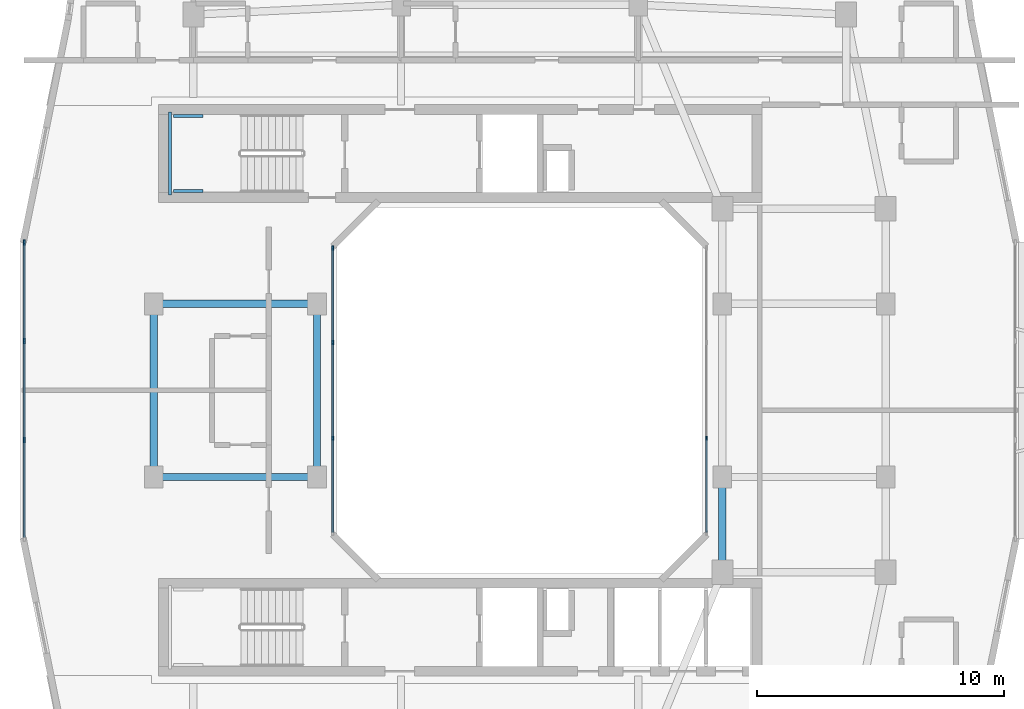
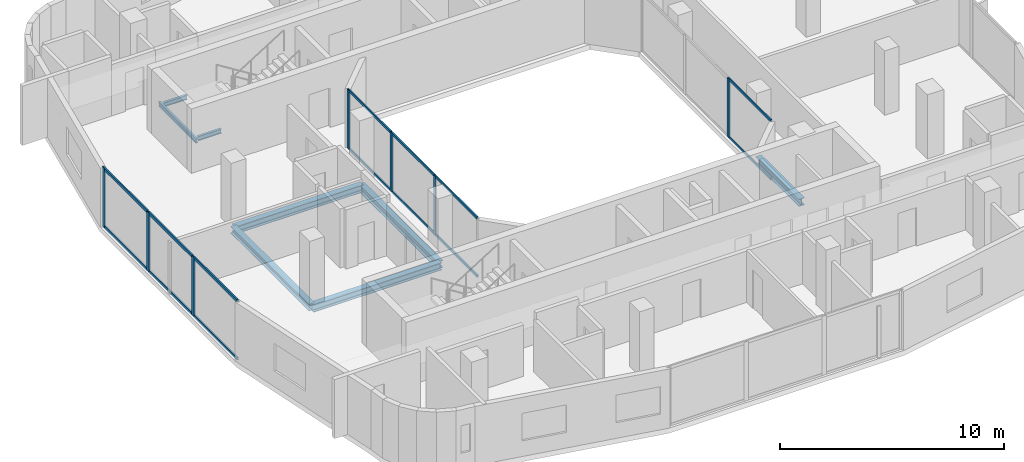
# One storey, part 3 of 14: 21 members, 8 beams, 3 elements without a shape of their own.
"""IFC4 building model written with IfcOpenShell, lengths in metres."""

from ifc_helpers import new_model, si_unit, derived_unit, direction, frame, origin, origin_2d, place, context, subcontext, project, spatial, rectangle, i_section, extrude, material, layer, layer_set, material_profile, profile_set, type_object, element, aggregate, save


model = new_model("IFC4")

# Units and contexts
model_context = context("Model", 3, precision=1e-05, world=origin(), true_north=direction((0.0, 1.0)))
body_context = subcontext(model_context, "Body", "Model", "MODEL_VIEW")
ifc_project = project(units=[si_unit("LENGTHUNIT", "METRE"), si_unit("AREAUNIT", "SQUARE_METRE"), si_unit("VOLUMEUNIT", "CUBIC_METRE"), si_unit("PLANEANGLEUNIT", "RADIAN"), si_unit("MASSUNIT", "GRAM", prefix="KILO"), derived_unit("THERMALTRANSMITTANCEUNIT", [(si_unit("POWERUNIT", "WATT"), 1), (si_unit("LENGTHUNIT", "METRE"), -2), (si_unit("THERMODYNAMICTEMPERATUREUNIT", "KELVIN"), -1)])], contexts=[model_context])

# Site, building, storey
site_placement = place(None, origin())
site = spatial("IfcSite", under=ifc_project, at=site_placement, CompositionType="ELEMENT")
building_placement = place(site_placement, origin())
building = spatial("IfcBuilding", under=site, at=building_placement, Name="Kivonza Crest Hotel", CompositionType="ELEMENT")
storey_placement = place(building_placement, frame((0.0, 0.0, 162.5)))
storey = spatial("IfcBuildingStorey", under=building, at=storey_placement, Name="L44", CompositionType="ELEMENT", Elevation=162.5)

# Beams
ifc_material_1 = material(Name="Steel S355", Category="steel")
ifc_material_profile_1 = material_profile(ifc_material_1, i_section(OverallWidth=0.300048828125, OverallDepth=0.360107421875, WebThickness=0.012451171875, FlangeThickness=0.0224609375, FilletRadius=0.027099609375, at=origin_2d()), Name="HEB 360")
ifc_profile_set_1 = profile_set([ifc_material_profile_1], Name="Steel S355")
beam_type_1 = type_object("IfcBeamType", Name="BM-HEB360", PredefinedType="SPANDREL", material=ifc_profile_set_1)
beam_1_placement = place(storey_placement, frame((6.199951171875, 28.5, -0.4599609375), z_axis=(0.0, -1.0, 0.0), x_axis=(1.0, 0.0, 0.0)))
element("IfcBeam", 1, at=beam_1_placement, inside=storey, type_object=beam_type_1, Name="Tower T1 L44 perimeter spandrel W2-W1", PredefinedType="SPANDREL", context=body_context, shape_type="SweptSolid", body=[
    extrude(i_section(OverallWidth=0.300048828125, OverallDepth=0.360107421875, WebThickness=0.012451171875, FlangeThickness=0.0224609375, FilletRadius=0.027099609375, at=origin_2d()), origin(), (0.0, 0.0, 1.0), 7.0),
])
ifc_material_profile_2 = material_profile(ifc_material_1, i_section(OverallWidth=0.300048828125, OverallDepth=0.39990234375, WebThickness=0.013427734375, FlangeThickness=0.02392578125, FilletRadius=0.027099609375, at=origin_2d()), Name="HEB 400")
ifc_profile_set_2 = profile_set([ifc_material_profile_2], Name="Steel S355")
beam_type_2 = type_object("IfcBeamType", Name="BM-HEB400", PredefinedType="BEAM", material=ifc_profile_set_2)
for number, where, z_axis, x_axis, name in (
    (2, (6.199951171875, 21.5, -0.47998046875), (1.0, 0.0, 0.0), (0.0, 1.0, 0.0), "Tower T1 L44 primary girder W1-WL1"),
    (3, (6.199951171875, 28.5, -0.47998046875), (1.0, 0.0, 0.0), (0.0, 1.0, 0.0), "Tower T1 L44 primary girder W2-WL2"),
):
    element("IfcBeam", number, at=place(storey_placement, frame(where, z_axis=z_axis, x_axis=x_axis)), inside=storey, type_object=beam_type_2, Name=name, PredefinedType="BEAM", context=body_context, shape_type="SweptSolid", body=[
        extrude(i_section(OverallWidth=0.300048828125, OverallDepth=0.39990234375, WebThickness=0.013427734375, FlangeThickness=0.02392578125, FilletRadius=0.027099609375, at=origin_2d()), origin(), (0.0, 0.0, 1.0), 6.60009765625),
    ])
beam_2_placement = place(storey_placement, frame((12.800048828125, 21.5, -0.47998046875), z_axis=(0.0, 1.0, 0.0), x_axis=(-1.0, 0.0, 0.0)))
element("IfcBeam", 4, at=beam_2_placement, inside=storey, type_object=beam_type_2, Name="Tower T1 L44 primary girder WL1-WL2", PredefinedType="BEAM", context=body_context, shape_type="SweptSolid", body=[
    extrude(i_section(OverallWidth=0.300048828125, OverallDepth=0.39990234375, WebThickness=0.013427734375, FlangeThickness=0.02392578125, FilletRadius=0.027099609375, at=origin_2d()), origin(), (0.0, 0.0, 1.0), 7.0),
])
beam_3_placement = place(storey_placement, frame((29.199951171875, 17.64990234375, -0.47998046875), z_axis=(0.0, 1.0, 0.0), x_axis=(-1.0, 0.0, 0.0)))
element("IfcBeam", 5, at=beam_3_placement, inside=storey, type_object=beam_type_2, Name="Tower T1 L44 primary girder TSE-WR1", PredefinedType="BEAM", context=body_context, shape_type="SweptSolid", body=[
    extrude(i_section(OverallWidth=0.300048828125, OverallDepth=0.39990234375, WebThickness=0.013427734375, FlangeThickness=0.02392578125, FilletRadius=0.027099609375, at=origin_2d()), origin(), (0.0, 0.0, 1.0), 3.85009765625),
])
ifc_material_profile_3 = material_profile(ifc_material_1, i_section(OverallWidth=0.1201171875, OverallDepth=0.239990234375, WebThickness=0.006103515625, FlangeThickness=0.009765625, FilletRadius=0.014892578125, at=origin_2d()), Name="IPE 240")
ifc_profile_set_3 = profile_set([ifc_material_profile_3], Name="Steel S355")
beam_type_3 = type_object("IfcBeamType", Name="BM-LLDG-240", PredefinedType="BEAM", material=ifc_profile_set_3)
beam_4_placement = place(storey_placement, frame((6.860107421875, 32.89990234375, 1.429931640625), z_axis=(0.0, 1.0, 0.0), x_axis=(-1.0, 0.0, 0.0)))
element("IfcBeam", 6, at=beam_4_placement, inside=storey, type_object=beam_type_3, Name="Stair ST-T1-N L44 West landing corbel", PredefinedType="BEAM", context=body_context, shape_type="SweptSolid", body=[
    extrude(i_section(OverallWidth=0.1201171875, OverallDepth=0.239990234375, WebThickness=0.006103515625, FlangeThickness=0.009765625, FilletRadius=0.014892578125, at=origin_2d()), origin(), (0.0, 0.0, 1.0), 3.360107421875),
])
for number, where, z_axis, x_axis, name in (
    (7, (6.989990234375, 33.06005859375, 1.429931640625), (1.0, 0.0, 0.0), (0.0, 1.0, 0.0), "Stair ST-T1-N L44 South landing corbel"),
    (8, (6.989990234375, 36.10009765625, 1.429931640625), (1.0, 0.0, 0.0), (0.0, 1.0, 0.0), "Stair ST-T1-N L44 North landing corbel"),
):
    element("IfcBeam", number, at=place(storey_placement, frame(where, z_axis=z_axis, x_axis=x_axis)), inside=storey, type_object=beam_type_3, Name=name, PredefinedType="BEAM", context=body_context, shape_type="SweptSolid", body=[
        extrude(i_section(OverallWidth=0.1201171875, OverallDepth=0.239990234375, WebThickness=0.006103515625, FlangeThickness=0.009765625, FilletRadius=0.014892578125, at=origin_2d()), origin(), (0.0, 0.0, 1.0), 1.2099609375),
    ])

# Curtain wall, member
ifc_material_2 = material(Name="Anodised bronze aluminium and low-E double glazing", Category="aluminium")
ifc_layer_1 = layer(ifc_material_2, 0.159912109375)
ifc_layer_set_1 = layer_set([ifc_layer_1], Name="Anodised bronze aluminium and low-E double glazing")
curtain_wall_type_1 = type_object("IfcCurtainWallType", Name="CW-SYS-5", PredefinedType="NOTDEFINED", material=ifc_layer_set_1)
curtain_wall_1_placement = place(storey_placement, origin())
curtain_wall_1 = element("IfcCurtainWall", 9, at=curtain_wall_1_placement, inside=storey, type_object=curtain_wall_type_1, Name="L44 unitised curtain wall CW-WELL-T1-L44-3", PredefinedType="NOTDEFINED")
ifc_material_3 = material(Name="Anodised bronze aluminium", Category="aluminium")
ifc_material_profile_4 = material_profile(ifc_material_3, rectangle(XDim=0.06494140625, YDim=0.179931640625, at=origin_2d()), Name="CW-M 65x180")
ifc_profile_set_4 = profile_set([ifc_material_profile_4], Name="Anodised bronze aluminium")
member_type_1 = type_object("IfcMemberType", Name="CW-MUL-65x180", PredefinedType="MULLION", material=ifc_profile_set_4)
member_1_placement = place(storey_placement, frame((28.56005859375, 23.066650390625, 0.0), z_axis=(0.0, 0.0, 1.0), x_axis=(-1.0, 0.0, 0.0)))
member_1 = element("IfcMember", 10, at=member_1_placement, type_object=member_type_1, Name="CW-5 mullion 2", PredefinedType="MULLION", context=body_context, shape_type="SweptSolid", body=[
    extrude(rectangle(XDim=0.06494140625, YDim=0.179931640625, at=origin_2d()), origin(), (0.0, 0.0, 1.0), 3.219970703125),
])

# Curtain wall, members
curtain_wall_2_placement = place(storey_placement, origin())
curtain_wall_2 = element("IfcCurtainWall", 11, at=curtain_wall_2_placement, inside=storey, type_object=curtain_wall_type_1, Name="L44 unitised curtain wall CW-WELL-T1-L44-7", PredefinedType="NOTDEFINED")
member_2_placement = place(storey_placement, frame((13.43994140625, 30.767578125, 0.0), z_axis=(0.0, 0.0, 1.0), x_axis=(1.0, 0.0, 0.0)))
member_2 = element("IfcMember", 12, at=member_2_placement, type_object=member_type_1, Name="CW-5 mullion 1", PredefinedType="MULLION", context=body_context, shape_type="SweptSolid", body=[
    extrude(rectangle(XDim=0.06494140625, YDim=0.179931640625, at=origin_2d()), origin(), (0.0, 0.0, 1.0), 3.219970703125),
])
member_3_placement = place(storey_placement, frame((13.43994140625, 26.933349609375, 0.0), z_axis=(0.0, 0.0, 1.0), x_axis=(1.0, 0.0, 0.0)))
member_3 = element("IfcMember", 13, at=member_3_placement, type_object=member_type_1, Name="CW-5 mullion 2", PredefinedType="MULLION", context=body_context, shape_type="SweptSolid", body=[
    extrude(rectangle(XDim=0.06494140625, YDim=0.179931640625, at=origin_2d()), origin(), (0.0, 0.0, 1.0), 3.219970703125),
])
member_4_placement = place(storey_placement, frame((13.43994140625, 23.066650390625, 0.0), z_axis=(0.0, 0.0, 1.0), x_axis=(1.0, 0.0, 0.0)))
member_4 = element("IfcMember", 14, at=member_4_placement, type_object=member_type_1, Name="CW-5 mullion 3", PredefinedType="MULLION", context=body_context, shape_type="SweptSolid", body=[
    extrude(rectangle(XDim=0.06494140625, YDim=0.179931640625, at=origin_2d()), origin(), (0.0, 0.0, 1.0), 3.219970703125),
])

ifc_layer_2 = layer(ifc_material_2, 0.179931640625)
ifc_layer_set_2 = layer_set([ifc_layer_2], Name="Anodised bronze aluminium and low-E double glazing")
curtain_wall_type_2 = type_object("IfcCurtainWallType", Name="CW-SYS-3", PredefinedType="NOTDEFINED", material=ifc_layer_set_2)
curtain_wall_3_placement = place(storey_placement, origin())
curtain_wall_3 = element("IfcCurtainWall", 15, at=curtain_wall_3_placement, inside=storey, type_object=curtain_wall_type_2, Name="L44 unitised curtain wall CW-T1-L44-35", PredefinedType="NOTDEFINED")
ifc_material_profile_5 = material_profile(ifc_material_3, rectangle(XDim=0.074951171875, YDim=0.219970703125, at=origin_2d()), Name="CW-M 75x220")
ifc_profile_set_5 = profile_set([ifc_material_profile_5], Name="Anodised bronze aluminium")
member_type_2 = type_object("IfcMemberType", Name="CW-MUL-75x220", PredefinedType="MULLION", material=ifc_profile_set_5)
member_5_placement = place(storey_placement, frame((0.9599609375, 30.982421875, 0.0), z_axis=(0.0, 0.0, 1.0), x_axis=(1.0, 0.0, 0.0)))
member_5 = element("IfcMember", 16, at=member_5_placement, type_object=member_type_2, Name="CW-3 mullion 1", PredefinedType="MULLION", context=body_context, shape_type="SweptSolid", body=[
    extrude(rectangle(XDim=0.074951171875, YDim=0.219970703125, at=origin_2d()), origin(), (0.0, 0.0, 1.0), 3.219970703125),
])
member_6_placement = place(storey_placement, frame((0.9599609375, 27.006591796875, 0.0), z_axis=(0.0, 0.0, 1.0), x_axis=(1.0, 0.0, 0.0)))
member_6 = element("IfcMember", 17, at=member_6_placement, type_object=member_type_2, Name="CW-3 mullion 2", PredefinedType="MULLION", context=body_context, shape_type="SweptSolid", body=[
    extrude(rectangle(XDim=0.074951171875, YDim=0.219970703125, at=origin_2d()), origin(), (0.0, 0.0, 1.0), 3.219970703125),
])
member_7_placement = place(storey_placement, frame((0.9599609375, 22.993408203125, 0.0), z_axis=(0.0, 0.0, 1.0), x_axis=(1.0, 0.0, 0.0)))
member_7 = element("IfcMember", 18, at=member_7_placement, type_object=member_type_2, Name="CW-3 mullion 3", PredefinedType="MULLION", context=body_context, shape_type="SweptSolid", body=[
    extrude(rectangle(XDim=0.074951171875, YDim=0.219970703125, at=origin_2d()), origin(), (0.0, 0.0, 1.0), 3.219970703125),
])

# Member
ifc_material_profile_6 = material_profile(ifc_material_3, rectangle(XDim=0.06494140625, YDim=0.139892578125, at=origin_2d()), Name="CW-T 65x140")
ifc_profile_set_6 = profile_set([ifc_material_profile_6], Name="Anodised bronze aluminium")
member_type_3 = type_object("IfcMemberType", Name="CW-TRN-65x140", PredefinedType="USERDEFINED", material=ifc_profile_set_6)
member_8_placement = place(storey_placement, frame((28.56005859375, 19.264892578125, 0.032470703125), z_axis=(0.0, 1.0, 0.0), x_axis=(-1.0, 0.0, 0.0)))
member_8 = element("IfcMember", 19, at=member_8_placement, type_object=member_type_3, Name="CW-5 transom 1.1", ObjectType="TRANSOM", PredefinedType="USERDEFINED", context=body_context, shape_type="SweptSolid", body=[
    extrude(rectangle(XDim=0.06494140625, YDim=0.139892578125, at=origin_2d()), origin(), (0.0, 0.0, 1.0), 3.769287109375),
])

member_9_placement = place(storey_placement, frame((28.56005859375, 19.264892578125, 3.1875), z_axis=(0.0, 1.0, 0.0), x_axis=(-1.0, 0.0, 0.0)))
member_9 = element("IfcMember", 20, at=member_9_placement, type_object=member_type_3, Name="CW-5 transom 1.2", ObjectType="TRANSOM", PredefinedType="USERDEFINED", context=body_context, shape_type="SweptSolid", body=[
    extrude(rectangle(XDim=0.06494140625, YDim=0.139892578125, at=origin_2d()), origin(), (0.0, 0.0, 1.0), 3.769287109375),
])

aggregate(curtain_wall_1, [member_1, member_8, member_9])

member_10_placement = place(storey_placement, frame((13.43994140625, 30.735107421875, 0.032470703125), z_axis=(0.0, -1.0, 0.0), x_axis=(1.0, 0.0, 0.0)))
member_10 = element("IfcMember", 21, at=member_10_placement, type_object=member_type_3, Name="CW-5 transom 1.1", ObjectType="TRANSOM", PredefinedType="USERDEFINED", context=body_context, shape_type="SweptSolid", body=[
    extrude(rectangle(XDim=0.06494140625, YDim=0.139892578125, at=origin_2d()), origin(), (0.0, 0.0, 1.0), 3.769287109375),
])

member_11_placement = place(storey_placement, frame((13.43994140625, 30.735107421875, 3.1875), z_axis=(0.0, -1.0, 0.0), x_axis=(1.0, 0.0, 0.0)))
member_11 = element("IfcMember", 22, at=member_11_placement, type_object=member_type_3, Name="CW-5 transom 1.2", ObjectType="TRANSOM", PredefinedType="USERDEFINED", context=body_context, shape_type="SweptSolid", body=[
    extrude(rectangle(XDim=0.06494140625, YDim=0.139892578125, at=origin_2d()), origin(), (0.0, 0.0, 1.0), 3.769287109375),
])

member_12_placement = place(storey_placement, frame((13.43994140625, 26.90087890625, 0.032470703125), z_axis=(0.0, -1.0, 0.0), x_axis=(1.0, 0.0, 0.0)))
member_12 = element("IfcMember", 23, at=member_12_placement, type_object=member_type_3, Name="CW-5 transom 2.1", ObjectType="TRANSOM", PredefinedType="USERDEFINED", context=body_context, shape_type="SweptSolid", body=[
    extrude(rectangle(XDim=0.06494140625, YDim=0.139892578125, at=origin_2d()), origin(), (0.0, 0.0, 1.0), 3.8017578125),
])

member_13_placement = place(storey_placement, frame((13.43994140625, 26.90087890625, 3.1875), z_axis=(0.0, -1.0, 0.0), x_axis=(1.0, 0.0, 0.0)))
member_13 = element("IfcMember", 24, at=member_13_placement, type_object=member_type_3, Name="CW-5 transom 2.2", ObjectType="TRANSOM", PredefinedType="USERDEFINED", context=body_context, shape_type="SweptSolid", body=[
    extrude(rectangle(XDim=0.06494140625, YDim=0.139892578125, at=origin_2d()), origin(), (0.0, 0.0, 1.0), 3.8017578125),
])

member_14_placement = place(storey_placement, frame((13.43994140625, 23.0341796875, 0.032470703125), z_axis=(0.0, -1.0, 0.0), x_axis=(1.0, 0.0, 0.0)))
member_14 = element("IfcMember", 25, at=member_14_placement, type_object=member_type_3, Name="CW-5 transom 3.1", ObjectType="TRANSOM", PredefinedType="USERDEFINED", context=body_context, shape_type="SweptSolid", body=[
    extrude(rectangle(XDim=0.06494140625, YDim=0.139892578125, at=origin_2d()), origin(), (0.0, 0.0, 1.0), 3.769287109375),
])

member_15_placement = place(storey_placement, frame((13.43994140625, 23.0341796875, 3.1875), z_axis=(0.0, -1.0, 0.0), x_axis=(1.0, 0.0, 0.0)))
member_15 = element("IfcMember", 26, at=member_15_placement, type_object=member_type_3, Name="CW-5 transom 3.2", ObjectType="TRANSOM", PredefinedType="USERDEFINED", context=body_context, shape_type="SweptSolid", body=[
    extrude(rectangle(XDim=0.06494140625, YDim=0.139892578125, at=origin_2d()), origin(), (0.0, 0.0, 1.0), 3.769287109375),
])

aggregate(curtain_wall_2, [member_2, member_3, member_4, member_10, member_11, member_12, member_13, member_14, member_15])

ifc_material_profile_7 = material_profile(ifc_material_3, rectangle(XDim=0.074951171875, YDim=0.159912109375, at=origin_2d()), Name="CW-T 75x160")
ifc_profile_set_7 = profile_set([ifc_material_profile_7], Name="Anodised bronze aluminium")
member_type_4 = type_object("IfcMemberType", Name="CW-TRN-75x160", PredefinedType="USERDEFINED", material=ifc_profile_set_7)
member_16_placement = place(storey_placement, frame((0.9599609375, 30.945068359375, 0.03759765625), z_axis=(0.0, -1.0, 0.0), x_axis=(1.0, 0.0, 0.0)))
member_16 = element("IfcMember", 27, at=member_16_placement, type_object=member_type_4, Name="CW-3 transom 1.1", ObjectType="TRANSOM", PredefinedType="USERDEFINED", context=body_context, shape_type="SweptSolid", body=[
    extrude(rectangle(XDim=0.074951171875, YDim=0.159912109375, at=origin_2d()), origin(), (0.0, 0.0, 1.0), 3.90087890625),
])

member_17_placement = place(storey_placement, frame((0.9599609375, 30.945068359375, 3.1826171875), z_axis=(0.0, -1.0, 0.0), x_axis=(1.0, 0.0, 0.0)))
member_17 = element("IfcMember", 28, at=member_17_placement, type_object=member_type_4, Name="CW-3 transom 1.2", ObjectType="TRANSOM", PredefinedType="USERDEFINED", context=body_context, shape_type="SweptSolid", body=[
    extrude(rectangle(XDim=0.074951171875, YDim=0.159912109375, at=origin_2d()), origin(), (0.0, 0.0, 1.0), 3.90087890625),
])

member_18_placement = place(storey_placement, frame((0.9599609375, 26.96923828125, 0.03759765625), z_axis=(0.0, -1.0, 0.0), x_axis=(1.0, 0.0, 0.0)))
member_18 = element("IfcMember", 29, at=member_18_placement, type_object=member_type_4, Name="CW-3 transom 2.1", ObjectType="TRANSOM", PredefinedType="USERDEFINED", context=body_context, shape_type="SweptSolid", body=[
    extrude(rectangle(XDim=0.074951171875, YDim=0.159912109375, at=origin_2d()), origin(), (0.0, 0.0, 1.0), 3.9384765625),
])

member_19_placement = place(storey_placement, frame((0.9599609375, 26.96923828125, 3.1826171875), z_axis=(0.0, -1.0, 0.0), x_axis=(1.0, 0.0, 0.0)))
member_19 = element("IfcMember", 30, at=member_19_placement, type_object=member_type_4, Name="CW-3 transom 2.2", ObjectType="TRANSOM", PredefinedType="USERDEFINED", context=body_context, shape_type="SweptSolid", body=[
    extrude(rectangle(XDim=0.074951171875, YDim=0.159912109375, at=origin_2d()), origin(), (0.0, 0.0, 1.0), 3.9384765625),
])

member_20_placement = place(storey_placement, frame((0.9599609375, 22.955810546875, 0.03759765625), z_axis=(0.0, -1.0, 0.0), x_axis=(1.0, 0.0, 0.0)))
member_20 = element("IfcMember", 31, at=member_20_placement, type_object=member_type_4, Name="CW-3 transom 3.1", ObjectType="TRANSOM", PredefinedType="USERDEFINED", context=body_context, shape_type="SweptSolid", body=[
    extrude(rectangle(XDim=0.074951171875, YDim=0.159912109375, at=origin_2d()), origin(), (0.0, 0.0, 1.0), 3.90087890625),
])

member_21_placement = place(storey_placement, frame((0.9599609375, 22.955810546875, 3.1826171875), z_axis=(0.0, -1.0, 0.0), x_axis=(1.0, 0.0, 0.0)))
member_21 = element("IfcMember", 32, at=member_21_placement, type_object=member_type_4, Name="CW-3 transom 3.2", ObjectType="TRANSOM", PredefinedType="USERDEFINED", context=body_context, shape_type="SweptSolid", body=[
    extrude(rectangle(XDim=0.074951171875, YDim=0.159912109375, at=origin_2d()), origin(), (0.0, 0.0, 1.0), 3.90087890625),
])

aggregate(curtain_wall_3, [member_5, member_6, member_7, member_16, member_17, member_18, member_19, member_20, member_21])

save(model, "model.ifc")
